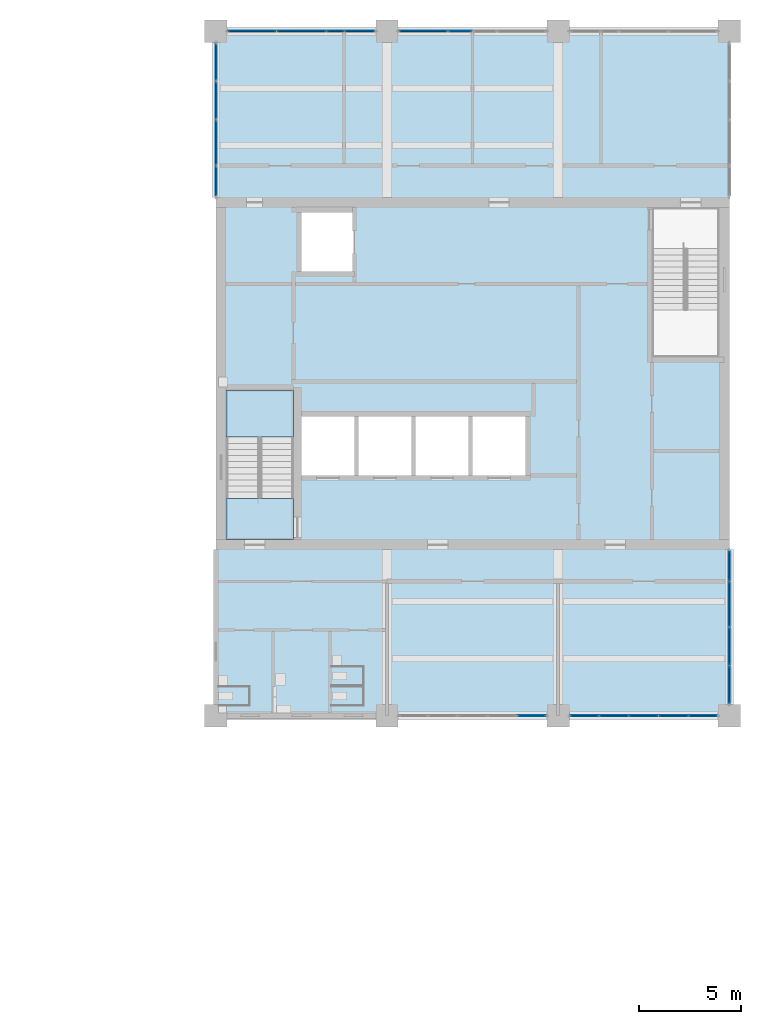
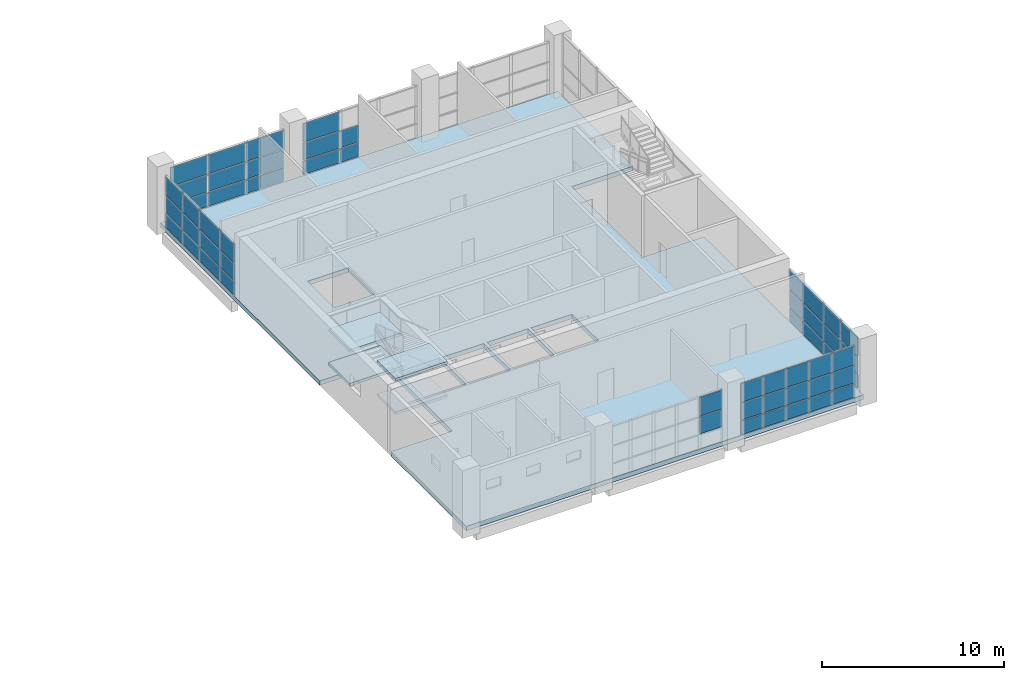
# One storey, part 20 of 64: 58 plates, 5 slabs, 7 elements without a shape of their own.
"""IFC4 building model written with IfcOpenShell, lengths in metres."""

from ifc_helpers import new_model, si_unit, direction, frame, origin, origin_2d, place, context, subcontext, project, spatial, polyline, rectangle, outline, extrude, material, layer, layer_set, type_object, element, aggregate, save


model = new_model("IFC4")

# Units and contexts
model_context = context("Model", 3, precision=1e-05, world=origin(), true_north=direction((0.0, 1.0)))
body_context = subcontext(model_context, "Body", "Model", "MODEL_VIEW")
ifc_project = project(units=[si_unit("LENGTHUNIT", "METRE"), si_unit("AREAUNIT", "SQUARE_METRE"), si_unit("VOLUMEUNIT", "CUBIC_METRE"), si_unit("PLANEANGLEUNIT", "RADIAN"), si_unit("MASSUNIT", "GRAM", prefix="KILO")], contexts=[model_context])

# Site, building, storey
site_placement = place(None, origin())
site = spatial("IfcSite", under=ifc_project, at=site_placement, CompositionType="ELEMENT")
building_placement = place(site_placement, origin())
building = spatial("IfcBuilding", under=site, at=building_placement, Name="Rulbaag Community and Learning Centre", CompositionType="ELEMENT")
storey_placement = place(building_placement, frame((0.0, 0.0, 5.39990234375)))
storey = spatial("IfcBuildingStorey", under=building, at=storey_placement, Name="L01", CompositionType="ELEMENT", Elevation=5.39990234375)

# Curtain wall, plate
ifc_material_1 = material(Name="Aluminium", Category="aluminium")
ifc_layer_1 = layer(ifc_material_1, 0.14990234375)
ifc_layer_set_1 = layer_set([ifc_layer_1], Name="CW-S")
curtain_wall_type_1 = type_object("IfcCurtainWallType", Name="CW-S", PredefinedType="USERDEFINED", material=ifc_layer_set_1)
curtain_wall_1_placement = place(storey_placement, origin())
curtain_wall_1 = element("IfcCurtainWall", 1, at=curtain_wall_1_placement, inside=storey, type_object=curtain_wall_type_1, Name="GS-L01-01", ObjectType="UNITISED CURTAIN WALL", PredefinedType="USERDEFINED")
ifc_layer_2 = layer(ifc_material_1, 0.054931640625)
ifc_layer_set_2 = layer_set([ifc_layer_2], Name="CW-S-SPN")
plate_type_1 = type_object("IfcPlateType", Name="CW-S-SPN", PredefinedType="CURTAIN_PANEL", material=ifc_layer_set_2)
plate_1_placement = place(storey_placement, frame((158.304931640625, 84.0, 2.22998046875), z_axis=(0.0, 0.0, 1.0), x_axis=(1.0, 0.0, 0.0)))
plate_1 = element("IfcPlate", 2, at=plate_1_placement, type_object=plate_type_1, Name="GS spandrel panel", PredefinedType="CURTAIN_PANEL", context=body_context, shape_type="SweptSolid", body=[
    extrude(rectangle(XDim=1.3701171875, YDim=0.054931640625, at=origin_2d()), origin(), (0.0, 0.0, 1.0), 1.260009765625),
])

# Curtain wall, plates
curtain_wall_2_placement = place(storey_placement, origin())
curtain_wall_2 = element("IfcCurtainWall", 3, at=curtain_wall_2_placement, inside=storey, type_object=curtain_wall_type_1, Name="GS-L01-02", ObjectType="UNITISED CURTAIN WALL", PredefinedType="USERDEFINED")
plate_2_placement = place(storey_placement, frame((160.89501953125, 84.0, 0.06005859375), z_axis=(0.0, 0.0, 1.0), x_axis=(1.0, 0.0, 0.0)))
plate_2 = element("IfcPlate", 4, at=plate_2_placement, type_object=plate_type_1, Name="GS spandrel panel", PredefinedType="CURTAIN_PANEL", context=body_context, shape_type="SweptSolid", body=[
    extrude(rectangle(XDim=1.3701171875, YDim=0.054931640625, at=origin_2d()), origin(), (0.0, 0.0, 1.0), 0.909912109375),
])
plate_3_placement = place(storey_placement, frame((160.89501953125, 84.0, 2.22998046875), z_axis=(0.0, 0.0, 1.0), x_axis=(1.0, 0.0, 0.0)))
plate_3 = element("IfcPlate", 5, at=plate_3_placement, type_object=plate_type_1, Name="GS spandrel panel", PredefinedType="CURTAIN_PANEL", context=body_context, shape_type="SweptSolid", body=[
    extrude(rectangle(XDim=1.3701171875, YDim=0.054931640625, at=origin_2d()), origin(), (0.0, 0.0, 1.0), 1.260009765625),
])
plate_4_placement = place(storey_placement, frame((162.340087890625, 84.0, 0.06005859375), z_axis=(0.0, 0.0, 1.0), x_axis=(1.0, 0.0, 0.0)))
plate_4 = element("IfcPlate", 6, at=plate_4_placement, type_object=plate_type_1, Name="GS spandrel panel", PredefinedType="CURTAIN_PANEL", context=body_context, shape_type="SweptSolid", body=[
    extrude(rectangle(XDim=1.39990234375, YDim=0.054931640625, at=origin_2d()), origin(), (0.0, 0.0, 1.0), 0.909912109375),
])
plate_5_placement = place(storey_placement, frame((162.340087890625, 84.0, 2.22998046875), z_axis=(0.0, 0.0, 1.0), x_axis=(1.0, 0.0, 0.0)))
plate_5 = element("IfcPlate", 7, at=plate_5_placement, type_object=plate_type_1, Name="GS spandrel panel", PredefinedType="CURTAIN_PANEL", context=body_context, shape_type="SweptSolid", body=[
    extrude(rectangle(XDim=1.39990234375, YDim=0.054931640625, at=origin_2d()), origin(), (0.0, 0.0, 1.0), 1.260009765625),
])
plate_6_placement = place(storey_placement, frame((163.800048828125, 84.0, 0.06005859375), z_axis=(0.0, 0.0, 1.0), x_axis=(1.0, 0.0, 0.0)))
plate_6 = element("IfcPlate", 8, at=plate_6_placement, type_object=plate_type_1, Name="GS spandrel panel", PredefinedType="CURTAIN_PANEL", context=body_context, shape_type="SweptSolid", body=[
    extrude(rectangle(XDim=1.39990234375, YDim=0.054931640625, at=origin_2d()), origin(), (0.0, 0.0, 1.0), 0.909912109375),
])
plate_7_placement = place(storey_placement, frame((163.800048828125, 84.0, 2.22998046875), z_axis=(0.0, 0.0, 1.0), x_axis=(1.0, 0.0, 0.0)))
plate_7 = element("IfcPlate", 9, at=plate_7_placement, type_object=plate_type_1, Name="GS spandrel panel", PredefinedType="CURTAIN_PANEL", context=body_context, shape_type="SweptSolid", body=[
    extrude(rectangle(XDim=1.39990234375, YDim=0.054931640625, at=origin_2d()), origin(), (0.0, 0.0, 1.0), 1.260009765625),
])
plate_8_placement = place(storey_placement, frame((165.260009765625, 84.0, 0.06005859375), z_axis=(0.0, 0.0, 1.0), x_axis=(1.0, 0.0, 0.0)))
plate_8 = element("IfcPlate", 10, at=plate_8_placement, type_object=plate_type_1, Name="GS spandrel panel", PredefinedType="CURTAIN_PANEL", context=body_context, shape_type="SweptSolid", body=[
    extrude(rectangle(XDim=1.39990234375, YDim=0.054931640625, at=origin_2d()), origin(), (0.0, 0.0, 1.0), 0.909912109375),
])
plate_9_placement = place(storey_placement, frame((165.260009765625, 84.0, 2.22998046875), z_axis=(0.0, 0.0, 1.0), x_axis=(1.0, 0.0, 0.0)))
plate_9 = element("IfcPlate", 11, at=plate_9_placement, type_object=plate_type_1, Name="GS spandrel panel", PredefinedType="CURTAIN_PANEL", context=body_context, shape_type="SweptSolid", body=[
    extrude(rectangle(XDim=1.39990234375, YDim=0.054931640625, at=origin_2d()), origin(), (0.0, 0.0, 1.0), 1.260009765625),
])
plate_10_placement = place(storey_placement, frame((166.705078125, 84.0, 0.06005859375), z_axis=(0.0, 0.0, 1.0), x_axis=(1.0, 0.0, 0.0)))
plate_10 = element("IfcPlate", 12, at=plate_10_placement, type_object=plate_type_1, Name="GS spandrel panel", PredefinedType="CURTAIN_PANEL", context=body_context, shape_type="SweptSolid", body=[
    extrude(rectangle(XDim=1.3701171875, YDim=0.054931640625, at=origin_2d()), origin(), (0.0, 0.0, 1.0), 0.909912109375),
])
plate_11_placement = place(storey_placement, frame((166.705078125, 84.0, 2.22998046875), z_axis=(0.0, 0.0, 1.0), x_axis=(1.0, 0.0, 0.0)))
plate_11 = element("IfcPlate", 13, at=plate_11_placement, type_object=plate_type_1, Name="GS spandrel panel", PredefinedType="CURTAIN_PANEL", context=body_context, shape_type="SweptSolid", body=[
    extrude(rectangle(XDim=1.3701171875, YDim=0.054931640625, at=origin_2d()), origin(), (0.0, 0.0, 1.0), 1.260009765625),
])

# Plate
ifc_material_2 = material(Name="Glass", Category="glass")
ifc_layer_3 = layer(ifc_material_2, 0.030029296875)
ifc_layer_set_3 = layer_set([ifc_layer_3], Name="CW-S-VIS")
plate_type_2 = type_object("IfcPlateType", Name="CW-S-VIS", PredefinedType="CURTAIN_PANEL", material=ifc_layer_set_3)
plate_12_placement = place(storey_placement, frame((158.304931640625, 84.0, 1.0302734375), z_axis=(0.0, 0.0, 1.0), x_axis=(1.0, 0.0, 0.0)))
plate_12 = element("IfcPlate", 14, at=plate_12_placement, type_object=plate_type_2, Name="GS vision panel", PredefinedType="CURTAIN_PANEL", context=body_context, shape_type="SweptSolid", body=[
    extrude(rectangle(XDim=1.3701171875, YDim=0.030029296875, at=origin_2d()), origin(), (0.0, 0.0, 1.0), 1.139892578125),
])

aggregate(curtain_wall_1, [plate_12, plate_1])

plate_13_placement = place(storey_placement, frame((160.89501953125, 84.0, 1.0302734375), z_axis=(0.0, 0.0, 1.0), x_axis=(1.0, 0.0, 0.0)))
plate_13 = element("IfcPlate", 15, at=plate_13_placement, type_object=plate_type_2, Name="GS vision panel", PredefinedType="CURTAIN_PANEL", context=body_context, shape_type="SweptSolid", body=[
    extrude(rectangle(XDim=1.3701171875, YDim=0.030029296875, at=origin_2d()), origin(), (0.0, 0.0, 1.0), 1.139892578125),
])

plate_14_placement = place(storey_placement, frame((162.340087890625, 84.0, 1.0302734375), z_axis=(0.0, 0.0, 1.0), x_axis=(1.0, 0.0, 0.0)))
plate_14 = element("IfcPlate", 16, at=plate_14_placement, type_object=plate_type_2, Name="GS vision panel", PredefinedType="CURTAIN_PANEL", context=body_context, shape_type="SweptSolid", body=[
    extrude(rectangle(XDim=1.39990234375, YDim=0.030029296875, at=origin_2d()), origin(), (0.0, 0.0, 1.0), 1.139892578125),
])

plate_15_placement = place(storey_placement, frame((163.800048828125, 84.0, 1.0302734375), z_axis=(0.0, 0.0, 1.0), x_axis=(1.0, 0.0, 0.0)))
plate_15 = element("IfcPlate", 17, at=plate_15_placement, type_object=plate_type_2, Name="GS vision panel", PredefinedType="CURTAIN_PANEL", context=body_context, shape_type="SweptSolid", body=[
    extrude(rectangle(XDim=1.39990234375, YDim=0.030029296875, at=origin_2d()), origin(), (0.0, 0.0, 1.0), 1.139892578125),
])

plate_16_placement = place(storey_placement, frame((165.260009765625, 84.0, 1.0302734375), z_axis=(0.0, 0.0, 1.0), x_axis=(1.0, 0.0, 0.0)))
plate_16 = element("IfcPlate", 18, at=plate_16_placement, type_object=plate_type_2, Name="GS vision panel", PredefinedType="CURTAIN_PANEL", context=body_context, shape_type="SweptSolid", body=[
    extrude(rectangle(XDim=1.39990234375, YDim=0.030029296875, at=origin_2d()), origin(), (0.0, 0.0, 1.0), 1.139892578125),
])

plate_17_placement = place(storey_placement, frame((166.705078125, 84.0, 1.0302734375), z_axis=(0.0, 0.0, 1.0), x_axis=(1.0, 0.0, 0.0)))
plate_17 = element("IfcPlate", 19, at=plate_17_placement, type_object=plate_type_2, Name="GS vision panel", PredefinedType="CURTAIN_PANEL", context=body_context, shape_type="SweptSolid", body=[
    extrude(rectangle(XDim=1.3701171875, YDim=0.030029296875, at=origin_2d()), origin(), (0.0, 0.0, 1.0), 1.139892578125),
])

aggregate(curtain_wall_2, [plate_2, plate_13, plate_3, plate_4, plate_14, plate_5, plate_6, plate_15, plate_7, plate_8, plate_16, plate_9, plate_10, plate_17, plate_11])

# Curtain wall, plates
ifc_layer_4 = layer(ifc_material_1, 0.14990234375)
ifc_layer_set_4 = layer_set([ifc_layer_4], Name="CW-T")
curtain_wall_type_2 = type_object("IfcCurtainWallType", Name="CW-T", PredefinedType="USERDEFINED", material=ifc_layer_set_4)
curtain_wall_3_placement = place(storey_placement, origin())
curtain_wall_3 = element("IfcCurtainWall", 20, at=curtain_wall_3_placement, inside=storey, type_object=curtain_wall_type_2, Name="GT-L01-01", ObjectType="UNITISED CURTAIN WALL", PredefinedType="USERDEFINED")
ifc_layer_5 = layer(ifc_material_1, 0.06005859375)
ifc_layer_set_5 = layer_set([ifc_layer_5], Name="CW-T-SPN")
plate_type_3 = type_object("IfcPlateType", Name="CW-T-SPN", PredefinedType="CURTAIN_PANEL", material=ifc_layer_set_5)
plate_18_placement = place(storey_placement, frame((144.5830078125, 117.60009765625, 0.06494140625), z_axis=(0.0, 0.0, 1.0), x_axis=(1.0, 0.0, 0.0)))
plate_18 = element("IfcPlate", 21, at=plate_18_placement, type_object=plate_type_3, Name="GT spandrel panel", PredefinedType="CURTAIN_PANEL", context=body_context, shape_type="SweptSolid", body=[
    extrude(rectangle(XDim=2.3359375, YDim=0.06005859375, at=origin_2d()), origin(), (0.0, 0.0, 1.0), 0.902587890625),
])
plate_19_placement = place(storey_placement, frame((144.5830078125, 117.60009765625, 2.232666015625), z_axis=(0.0, 0.0, 1.0), x_axis=(1.0, 0.0, 0.0)))
plate_19 = element("IfcPlate", 22, at=plate_19_placement, type_object=plate_type_3, Name="GT spandrel panel", PredefinedType="CURTAIN_PANEL", context=body_context, shape_type="SweptSolid", body=[
    extrude(rectangle(XDim=2.3359375, YDim=0.06005859375, at=origin_2d()), origin(), (0.0, 0.0, 1.0), 1.25244140625),
])
plate_20_placement = place(storey_placement, frame((147.0, 117.60009765625, 0.06494140625), z_axis=(0.0, 0.0, 1.0), x_axis=(1.0, 0.0, 0.0)))
plate_20 = element("IfcPlate", 23, at=plate_20_placement, type_object=plate_type_3, Name="GT spandrel panel", PredefinedType="CURTAIN_PANEL", context=body_context, shape_type="SweptSolid", body=[
    extrude(rectangle(XDim=2.368408203125, YDim=0.06005859375, at=origin_2d()), origin(), (0.0, 0.0, 1.0), 0.902587890625),
])
plate_21_placement = place(storey_placement, frame((147.0, 117.60009765625, 2.232666015625), z_axis=(0.0, 0.0, 1.0), x_axis=(1.0, 0.0, 0.0)))
plate_21 = element("IfcPlate", 24, at=plate_21_placement, type_object=plate_type_3, Name="GT spandrel panel", PredefinedType="CURTAIN_PANEL", context=body_context, shape_type="SweptSolid", body=[
    extrude(rectangle(XDim=2.368408203125, YDim=0.06005859375, at=origin_2d()), origin(), (0.0, 0.0, 1.0), 1.25244140625),
])
plate_22_placement = place(storey_placement, frame((148.658447265625, 117.60009765625, 0.06494140625), z_axis=(0.0, 0.0, 1.0), x_axis=(1.0, 0.0, 0.0)))
plate_22 = element("IfcPlate", 25, at=plate_22_placement, type_object=plate_type_3, Name="GT spandrel panel", PredefinedType="CURTAIN_PANEL", context=body_context, shape_type="SweptSolid", body=[
    extrude(rectangle(XDim=0.818359375, YDim=0.06005859375, at=origin_2d()), origin(), (0.0, 0.0, 1.0), 0.902587890625),
])
plate_23_placement = place(storey_placement, frame((148.658447265625, 117.60009765625, 2.232666015625), z_axis=(0.0, 0.0, 1.0), x_axis=(1.0, 0.0, 0.0)))
plate_23 = element("IfcPlate", 26, at=plate_23_placement, type_object=plate_type_3, Name="GT spandrel panel", PredefinedType="CURTAIN_PANEL", context=body_context, shape_type="SweptSolid", body=[
    extrude(rectangle(XDim=0.818359375, YDim=0.06005859375, at=origin_2d()), origin(), (0.0, 0.0, 1.0), 1.25244140625),
])
plate_24_placement = place(storey_placement, frame((149.858642578125, 117.60009765625, 0.06494140625), z_axis=(0.0, 0.0, 1.0), x_axis=(1.0, 0.0, 0.0)))
plate_24 = element("IfcPlate", 27, at=plate_24_placement, type_object=plate_type_3, Name="GT spandrel panel", PredefinedType="CURTAIN_PANEL", context=body_context, shape_type="SweptSolid", body=[
    extrude(rectangle(XDim=1.452392578125, YDim=0.06005859375, at=origin_2d()), origin(), (0.0, 0.0, 1.0), 0.902587890625),
])
plate_25_placement = place(storey_placement, frame((149.858642578125, 117.60009765625, 2.232666015625), z_axis=(0.0, 0.0, 1.0), x_axis=(1.0, 0.0, 0.0)))
plate_25 = element("IfcPlate", 28, at=plate_25_placement, type_object=plate_type_3, Name="GT spandrel panel", PredefinedType="CURTAIN_PANEL", context=body_context, shape_type="SweptSolid", body=[
    extrude(rectangle(XDim=1.452392578125, YDim=0.06005859375, at=origin_2d()), origin(), (0.0, 0.0, 1.0), 1.25244140625),
])

curtain_wall_4_placement = place(storey_placement, origin())
curtain_wall_4 = element("IfcCurtainWall", 29, at=curtain_wall_4_placement, inside=storey, type_object=curtain_wall_type_2, Name="GT-L01-02", ObjectType="UNITISED CURTAIN WALL", PredefinedType="USERDEFINED")
plate_26_placement = place(storey_placement, frame((152.98291015625, 117.60009765625, 0.06494140625), z_axis=(0.0, 0.0, 1.0), x_axis=(1.0, 0.0, 0.0)))
plate_26 = element("IfcPlate", 30, at=plate_26_placement, type_object=plate_type_3, Name="GT spandrel panel", PredefinedType="CURTAIN_PANEL", context=body_context, shape_type="SweptSolid", body=[
    extrude(rectangle(XDim=2.3359375, YDim=0.06005859375, at=origin_2d()), origin(), (0.0, 0.0, 1.0), 0.902587890625),
])
plate_27_placement = place(storey_placement, frame((152.98291015625, 117.60009765625, 2.232666015625), z_axis=(0.0, 0.0, 1.0), x_axis=(1.0, 0.0, 0.0)))
plate_27 = element("IfcPlate", 31, at=plate_27_placement, type_object=plate_type_3, Name="GT spandrel panel", PredefinedType="CURTAIN_PANEL", context=body_context, shape_type="SweptSolid", body=[
    extrude(rectangle(XDim=2.3359375, YDim=0.06005859375, at=origin_2d()), origin(), (0.0, 0.0, 1.0), 1.25244140625),
])
plate_28_placement = place(storey_placement, frame((154.791748046875, 117.60009765625, 0.06494140625), z_axis=(0.0, 0.0, 1.0), x_axis=(1.0, 0.0, 0.0)))
plate_28 = element("IfcPlate", 32, at=plate_28_placement, type_object=plate_type_3, Name="GT spandrel panel", PredefinedType="CURTAIN_PANEL", context=body_context, shape_type="SweptSolid", body=[
    extrude(rectangle(XDim=1.151611328125, YDim=0.06005859375, at=origin_2d()), origin(), (0.0, 0.0, 1.0), 0.902587890625),
])

curtain_wall_5_placement = place(storey_placement, origin())
curtain_wall_5 = element("IfcCurtainWall", 33, at=curtain_wall_5_placement, inside=storey, type_object=curtain_wall_type_2, Name="GT-L01-04", ObjectType="UNITISED CURTAIN WALL", PredefinedType="USERDEFINED")
plate_29_placement = place(storey_placement, frame((142.800048828125, 110.2412109375, 0.06494140625), z_axis=(0.0, 0.0, 1.0), x_axis=(0.0, 1.0, 0.0)))
plate_29 = element("IfcPlate", 34, at=plate_29_placement, type_object=plate_type_3, Name="GT spandrel panel", PredefinedType="CURTAIN_PANEL", context=body_context, shape_type="SweptSolid", body=[
    extrude(rectangle(XDim=1.452392578125, YDim=0.06005859375, at=origin_2d()), origin(), (0.0, 0.0, 1.0), 0.902587890625),
])
plate_30_placement = place(storey_placement, frame((142.800048828125, 110.2412109375, 2.232666015625), z_axis=(0.0, 0.0, 1.0), x_axis=(0.0, 1.0, 0.0)))
plate_30 = element("IfcPlate", 35, at=plate_30_placement, type_object=plate_type_3, Name="GT spandrel panel", PredefinedType="CURTAIN_PANEL", context=body_context, shape_type="SweptSolid", body=[
    extrude(rectangle(XDim=1.452392578125, YDim=0.06005859375, at=origin_2d()), origin(), (0.0, 0.0, 1.0), 1.25244140625),
])
plate_31_placement = place(storey_placement, frame((142.800048828125, 112.125, 0.06494140625), z_axis=(0.0, 0.0, 1.0), x_axis=(0.0, 1.0, 0.0)))
plate_31 = element("IfcPlate", 36, at=plate_31_placement, type_object=plate_type_3, Name="GT spandrel panel", PredefinedType="CURTAIN_PANEL", context=body_context, shape_type="SweptSolid", body=[
    extrude(rectangle(XDim=2.18505859375, YDim=0.06005859375, at=origin_2d()), origin(), (0.0, 0.0, 1.0), 0.902587890625),
])
plate_32_placement = place(storey_placement, frame((142.800048828125, 112.125, 2.232666015625), z_axis=(0.0, 0.0, 1.0), x_axis=(0.0, 1.0, 0.0)))
plate_32 = element("IfcPlate", 37, at=plate_32_placement, type_object=plate_type_3, Name="GT spandrel panel", PredefinedType="CURTAIN_PANEL", context=body_context, shape_type="SweptSolid", body=[
    extrude(rectangle(XDim=2.18505859375, YDim=0.06005859375, at=origin_2d()), origin(), (0.0, 0.0, 1.0), 1.25244140625),
])
plate_33_placement = place(storey_placement, frame((142.800048828125, 114.199951171875, 0.06494140625), z_axis=(0.0, 0.0, 1.0), x_axis=(0.0, 1.0, 0.0)))
plate_33 = element("IfcPlate", 38, at=plate_33_placement, type_object=plate_type_3, Name="GT spandrel panel", PredefinedType="CURTAIN_PANEL", context=body_context, shape_type="SweptSolid", body=[
    extrude(rectangle(XDim=1.8349609375, YDim=0.06005859375, at=origin_2d()), origin(), (0.0, 0.0, 1.0), 0.902587890625),
])
plate_34_placement = place(storey_placement, frame((142.800048828125, 114.199951171875, 2.232666015625), z_axis=(0.0, 0.0, 1.0), x_axis=(0.0, 1.0, 0.0)))
plate_34 = element("IfcPlate", 39, at=plate_34_placement, type_object=plate_type_3, Name="GT spandrel panel", PredefinedType="CURTAIN_PANEL", context=body_context, shape_type="SweptSolid", body=[
    extrude(rectangle(XDim=1.8349609375, YDim=0.06005859375, at=origin_2d()), origin(), (0.0, 0.0, 1.0), 1.25244140625),
])
plate_35_placement = place(storey_placement, frame((142.800048828125, 116.083740234375, 0.06494140625), z_axis=(0.0, 0.0, 1.0), x_axis=(0.0, 1.0, 0.0)))
plate_35 = element("IfcPlate", 40, at=plate_35_placement, type_object=plate_type_3, Name="GT spandrel panel", PredefinedType="CURTAIN_PANEL", context=body_context, shape_type="SweptSolid", body=[
    extrude(rectangle(XDim=1.802490234375, YDim=0.06005859375, at=origin_2d()), origin(), (0.0, 0.0, 1.0), 0.902587890625),
])
plate_36_placement = place(storey_placement, frame((142.800048828125, 116.083740234375, 2.232666015625), z_axis=(0.0, 0.0, 1.0), x_axis=(0.0, 1.0, 0.0)))
plate_36 = element("IfcPlate", 41, at=plate_36_placement, type_object=plate_type_3, Name="GT spandrel panel", PredefinedType="CURTAIN_PANEL", context=body_context, shape_type="SweptSolid", body=[
    extrude(rectangle(XDim=1.802490234375, YDim=0.06005859375, at=origin_2d()), origin(), (0.0, 0.0, 1.0), 1.25244140625),
])

curtain_wall_6_placement = place(storey_placement, origin())
curtain_wall_6 = element("IfcCurtainWall", 42, at=curtain_wall_6_placement, inside=storey, type_object=curtain_wall_type_2, Name="GT-L01-05", ObjectType="UNITISED CURTAIN WALL", PredefinedType="USERDEFINED")
plate_37_placement = place(storey_placement, frame((168.0, 85.516357421875, 0.06494140625), z_axis=(0.0, 0.0, 1.0), x_axis=(0.0, 1.0, 0.0)))
plate_37 = element("IfcPlate", 43, at=plate_37_placement, type_object=plate_type_3, Name="GT spandrel panel", PredefinedType="CURTAIN_PANEL", context=body_context, shape_type="SweptSolid", body=[
    extrude(rectangle(XDim=1.802490234375, YDim=0.06005859375, at=origin_2d()), origin(), (0.0, 0.0, 1.0), 0.902587890625),
])
plate_38_placement = place(storey_placement, frame((168.0, 85.516357421875, 2.232666015625), z_axis=(0.0, 0.0, 1.0), x_axis=(0.0, 1.0, 0.0)))
plate_38 = element("IfcPlate", 44, at=plate_38_placement, type_object=plate_type_3, Name="GT spandrel panel", PredefinedType="CURTAIN_PANEL", context=body_context, shape_type="SweptSolid", body=[
    extrude(rectangle(XDim=1.802490234375, YDim=0.06005859375, at=origin_2d()), origin(), (0.0, 0.0, 1.0), 1.25244140625),
])
plate_39_placement = place(storey_placement, frame((168.0, 87.39990234375, 0.06494140625), z_axis=(0.0, 0.0, 1.0), x_axis=(0.0, 1.0, 0.0)))
plate_39 = element("IfcPlate", 45, at=plate_39_placement, type_object=plate_type_3, Name="GT spandrel panel", PredefinedType="CURTAIN_PANEL", context=body_context, shape_type="SweptSolid", body=[
    extrude(rectangle(XDim=1.8349609375, YDim=0.06005859375, at=origin_2d()), origin(), (0.0, 0.0, 1.0), 0.902587890625),
])
plate_40_placement = place(storey_placement, frame((168.0, 87.39990234375, 2.232666015625), z_axis=(0.0, 0.0, 1.0), x_axis=(0.0, 1.0, 0.0)))
plate_40 = element("IfcPlate", 46, at=plate_40_placement, type_object=plate_type_3, Name="GT spandrel panel", PredefinedType="CURTAIN_PANEL", context=body_context, shape_type="SweptSolid", body=[
    extrude(rectangle(XDim=1.8349609375, YDim=0.06005859375, at=origin_2d()), origin(), (0.0, 0.0, 1.0), 1.25244140625),
])
plate_41_placement = place(storey_placement, frame((168.0, 89.47509765625, 0.06494140625), z_axis=(0.0, 0.0, 1.0), x_axis=(0.0, 1.0, 0.0)))
plate_41 = element("IfcPlate", 47, at=plate_41_placement, type_object=plate_type_3, Name="GT spandrel panel", PredefinedType="CURTAIN_PANEL", context=body_context, shape_type="SweptSolid", body=[
    extrude(rectangle(XDim=2.18505859375, YDim=0.06005859375, at=origin_2d()), origin(), (0.0, 0.0, 1.0), 0.902587890625),
])
plate_42_placement = place(storey_placement, frame((168.0, 89.47509765625, 2.232666015625), z_axis=(0.0, 0.0, 1.0), x_axis=(0.0, 1.0, 0.0)))
plate_42 = element("IfcPlate", 48, at=plate_42_placement, type_object=plate_type_3, Name="GT spandrel panel", PredefinedType="CURTAIN_PANEL", context=body_context, shape_type="SweptSolid", body=[
    extrude(rectangle(XDim=2.18505859375, YDim=0.06005859375, at=origin_2d()), origin(), (0.0, 0.0, 1.0), 1.25244140625),
])
plate_43_placement = place(storey_placement, frame((168.0, 91.358642578125, 0.06494140625), z_axis=(0.0, 0.0, 1.0), x_axis=(0.0, 1.0, 0.0)))
plate_43 = element("IfcPlate", 49, at=plate_43_placement, type_object=plate_type_3, Name="GT spandrel panel", PredefinedType="CURTAIN_PANEL", context=body_context, shape_type="SweptSolid", body=[
    extrude(rectangle(XDim=1.452392578125, YDim=0.06005859375, at=origin_2d()), origin(), (0.0, 0.0, 1.0), 0.902587890625),
])
plate_44_placement = place(storey_placement, frame((168.0, 91.358642578125, 2.232666015625), z_axis=(0.0, 0.0, 1.0), x_axis=(0.0, 1.0, 0.0)))
plate_44 = element("IfcPlate", 50, at=plate_44_placement, type_object=plate_type_3, Name="GT spandrel panel", PredefinedType="CURTAIN_PANEL", context=body_context, shape_type="SweptSolid", body=[
    extrude(rectangle(XDim=1.452392578125, YDim=0.06005859375, at=origin_2d()), origin(), (0.0, 0.0, 1.0), 1.25244140625),
])

# Plate
ifc_layer_6 = layer(ifc_material_2, 0.028076171875)
ifc_layer_set_6 = layer_set([ifc_layer_6], Name="CW-T-VIS")
plate_type_4 = type_object("IfcPlateType", Name="CW-T-VIS", PredefinedType="CURTAIN_PANEL", material=ifc_layer_set_6)
plate_45_placement = place(storey_placement, frame((144.5830078125, 117.60009765625, 1.03271484375), z_axis=(0.0, 0.0, 1.0), x_axis=(1.0, 0.0, 0.0)))
plate_45 = element("IfcPlate", 51, at=plate_45_placement, type_object=plate_type_4, Name="GT vision panel", PredefinedType="CURTAIN_PANEL", context=body_context, shape_type="SweptSolid", body=[
    extrude(rectangle(XDim=2.3359375, YDim=0.028076171875, at=origin_2d()), origin(), (0.0, 0.0, 1.0), 1.135009765625),
])

plate_46_placement = place(storey_placement, frame((147.0, 117.60009765625, 1.03271484375), z_axis=(0.0, 0.0, 1.0), x_axis=(1.0, 0.0, 0.0)))
plate_46 = element("IfcPlate", 52, at=plate_46_placement, type_object=plate_type_4, Name="GT vision panel", PredefinedType="CURTAIN_PANEL", context=body_context, shape_type="SweptSolid", body=[
    extrude(rectangle(XDim=2.368408203125, YDim=0.028076171875, at=origin_2d()), origin(), (0.0, 0.0, 1.0), 1.135009765625),
])

plate_47_placement = place(storey_placement, frame((148.658447265625, 117.60009765625, 1.03271484375), z_axis=(0.0, 0.0, 1.0), x_axis=(1.0, 0.0, 0.0)))
plate_47 = element("IfcPlate", 53, at=plate_47_placement, type_object=plate_type_4, Name="GT vision panel", PredefinedType="CURTAIN_PANEL", context=body_context, shape_type="SweptSolid", body=[
    extrude(rectangle(XDim=0.818359375, YDim=0.028076171875, at=origin_2d()), origin(), (0.0, 0.0, 1.0), 1.135009765625),
])

plate_48_placement = place(storey_placement, frame((149.858642578125, 117.60009765625, 1.03271484375), z_axis=(0.0, 0.0, 1.0), x_axis=(1.0, 0.0, 0.0)))
plate_48 = element("IfcPlate", 54, at=plate_48_placement, type_object=plate_type_4, Name="GT vision panel", PredefinedType="CURTAIN_PANEL", context=body_context, shape_type="SweptSolid", body=[
    extrude(rectangle(XDim=1.452392578125, YDim=0.028076171875, at=origin_2d()), origin(), (0.0, 0.0, 1.0), 1.135009765625),
])

aggregate(curtain_wall_3, [plate_18, plate_45, plate_19, plate_20, plate_46, plate_21, plate_22, plate_47, plate_23, plate_24, plate_48, plate_25])

plate_49_placement = place(storey_placement, frame((152.98291015625, 117.60009765625, 1.03271484375), z_axis=(0.0, 0.0, 1.0), x_axis=(1.0, 0.0, 0.0)))
plate_49 = element("IfcPlate", 55, at=plate_49_placement, type_object=plate_type_4, Name="GT vision panel", PredefinedType="CURTAIN_PANEL", context=body_context, shape_type="SweptSolid", body=[
    extrude(rectangle(XDim=2.3359375, YDim=0.028076171875, at=origin_2d()), origin(), (0.0, 0.0, 1.0), 1.135009765625),
])

plate_50_placement = place(storey_placement, frame((154.791748046875, 117.60009765625, 1.03271484375), z_axis=(0.0, 0.0, 1.0), x_axis=(1.0, 0.0, 0.0)))
plate_50 = element("IfcPlate", 56, at=plate_50_placement, type_object=plate_type_4, Name="GT vision panel", PredefinedType="CURTAIN_PANEL", context=body_context, shape_type="SweptSolid", body=[
    extrude(rectangle(XDim=1.151611328125, YDim=0.028076171875, at=origin_2d()), origin(), (0.0, 0.0, 1.0), 1.135009765625),
])

aggregate(curtain_wall_4, [plate_26, plate_49, plate_27, plate_28, plate_50])

plate_51_placement = place(storey_placement, frame((142.800048828125, 110.2412109375, 1.03271484375), z_axis=(0.0, 0.0, 1.0), x_axis=(0.0, 1.0, 0.0)))
plate_51 = element("IfcPlate", 57, at=plate_51_placement, type_object=plate_type_4, Name="GT vision panel", PredefinedType="CURTAIN_PANEL", context=body_context, shape_type="SweptSolid", body=[
    extrude(rectangle(XDim=1.452392578125, YDim=0.028076171875, at=origin_2d()), origin(), (0.0, 0.0, 1.0), 1.135009765625),
])

plate_52_placement = place(storey_placement, frame((142.800048828125, 112.125, 1.03271484375), z_axis=(0.0, 0.0, 1.0), x_axis=(0.0, 1.0, 0.0)))
plate_52 = element("IfcPlate", 58, at=plate_52_placement, type_object=plate_type_4, Name="GT vision panel", PredefinedType="CURTAIN_PANEL", context=body_context, shape_type="SweptSolid", body=[
    extrude(rectangle(XDim=2.18505859375, YDim=0.028076171875, at=origin_2d()), origin(), (0.0, 0.0, 1.0), 1.135009765625),
])

plate_53_placement = place(storey_placement, frame((142.800048828125, 114.199951171875, 1.03271484375), z_axis=(0.0, 0.0, 1.0), x_axis=(0.0, 1.0, 0.0)))
plate_53 = element("IfcPlate", 59, at=plate_53_placement, type_object=plate_type_4, Name="GT vision panel", PredefinedType="CURTAIN_PANEL", context=body_context, shape_type="SweptSolid", body=[
    extrude(rectangle(XDim=1.8349609375, YDim=0.028076171875, at=origin_2d()), origin(), (0.0, 0.0, 1.0), 1.135009765625),
])

plate_54_placement = place(storey_placement, frame((142.800048828125, 116.083740234375, 1.03271484375), z_axis=(0.0, 0.0, 1.0), x_axis=(0.0, 1.0, 0.0)))
plate_54 = element("IfcPlate", 60, at=plate_54_placement, type_object=plate_type_4, Name="GT vision panel", PredefinedType="CURTAIN_PANEL", context=body_context, shape_type="SweptSolid", body=[
    extrude(rectangle(XDim=1.802490234375, YDim=0.028076171875, at=origin_2d()), origin(), (0.0, 0.0, 1.0), 1.135009765625),
])

aggregate(curtain_wall_5, [plate_29, plate_51, plate_30, plate_31, plate_52, plate_32, plate_33, plate_53, plate_34, plate_35, plate_54, plate_36])

plate_55_placement = place(storey_placement, frame((168.0, 85.516357421875, 1.03271484375), z_axis=(0.0, 0.0, 1.0), x_axis=(0.0, 1.0, 0.0)))
plate_55 = element("IfcPlate", 61, at=plate_55_placement, type_object=plate_type_4, Name="GT vision panel", PredefinedType="CURTAIN_PANEL", context=body_context, shape_type="SweptSolid", body=[
    extrude(rectangle(XDim=1.802490234375, YDim=0.028076171875, at=origin_2d()), origin(), (0.0, 0.0, 1.0), 1.135009765625),
])

plate_56_placement = place(storey_placement, frame((168.0, 87.39990234375, 1.03271484375), z_axis=(0.0, 0.0, 1.0), x_axis=(0.0, 1.0, 0.0)))
plate_56 = element("IfcPlate", 62, at=plate_56_placement, type_object=plate_type_4, Name="GT vision panel", PredefinedType="CURTAIN_PANEL", context=body_context, shape_type="SweptSolid", body=[
    extrude(rectangle(XDim=1.8349609375, YDim=0.028076171875, at=origin_2d()), origin(), (0.0, 0.0, 1.0), 1.135009765625),
])

plate_57_placement = place(storey_placement, frame((168.0, 89.47509765625, 1.03271484375), z_axis=(0.0, 0.0, 1.0), x_axis=(0.0, 1.0, 0.0)))
plate_57 = element("IfcPlate", 63, at=plate_57_placement, type_object=plate_type_4, Name="GT vision panel", PredefinedType="CURTAIN_PANEL", context=body_context, shape_type="SweptSolid", body=[
    extrude(rectangle(XDim=2.18505859375, YDim=0.028076171875, at=origin_2d()), origin(), (0.0, 0.0, 1.0), 1.135009765625),
])

plate_58_placement = place(storey_placement, frame((168.0, 91.358642578125, 1.03271484375), z_axis=(0.0, 0.0, 1.0), x_axis=(0.0, 1.0, 0.0)))
plate_58 = element("IfcPlate", 64, at=plate_58_placement, type_object=plate_type_4, Name="GT vision panel", PredefinedType="CURTAIN_PANEL", context=body_context, shape_type="SweptSolid", body=[
    extrude(rectangle(XDim=1.452392578125, YDim=0.028076171875, at=origin_2d()), origin(), (0.0, 0.0, 1.0), 1.135009765625),
])

aggregate(curtain_wall_6, [plate_37, plate_55, plate_38, plate_39, plate_56, plate_40, plate_41, plate_57, plate_42, plate_43, plate_58, plate_44])

# Stair, slabs
ifc_material_3 = material(Name="Concrete M40", Category="concrete")
stair_type = type_object("IfcStairType", Name="ST-1650 STAIR 1650 WIDE", PredefinedType="HALF_TURN_STAIR", material=ifc_material_3)
stair_placement = place(storey_placement, origin())
stair = element("IfcStair", 65, at=stair_placement, inside=storey, type_object=stair_type, Name="Stair ST1 L01", PredefinedType="HALF_TURN_STAIR")
ifc_layer_7 = layer(ifc_material_3, 0.179931640625)
ifc_layer_set_7 = layer_set([ifc_layer_7], Name="LN-180 LANDING 180 Concrete M40")
slab_type_1 = type_object("IfcSlabType", Name="LN-180 LANDING 180 Concrete M40", PredefinedType="LANDING", material=ifc_layer_set_7)
slab_1_placement = place(storey_placement, frame((0.0, 0.0, 0.945068359375)))
slab_1 = element("IfcSlab", 66, at=slab_1_placement, type_object=slab_type_1, Name="ST1 landing 1", PredefinedType="LANDING", context=body_context, shape_type="SweptSolid", body=[
    extrude(outline(polyline([(143.300048828125, 97.675048828125), (143.300048828125, 100.0), (146.60009765625, 100.0), (146.60009765625, 97.675048828125), (143.300048828125, 97.675048828125)])), origin(), (0.0, 0.0, 1.0), 0.179931640625),
])
slab_2_placement = place(storey_placement, frame((0.0, 0.0, 2.070068359375)))
slab_2 = element("IfcSlab", 67, at=slab_2_placement, type_object=slab_type_1, Name="ST1 landing 2", PredefinedType="LANDING", context=body_context, shape_type="SweptSolid", body=[
    extrude(outline(polyline([(143.300048828125, 92.64990234375), (143.300048828125, 94.675048828125), (146.60009765625, 94.675048828125), (146.60009765625, 92.64990234375), (143.300048828125, 92.64990234375)])), origin(), (0.0, 0.0, 1.0), 0.179931640625),
])
slab_3_placement = place(storey_placement, frame((0.0, 0.0, 3.195068359375)))
slab_3 = element("IfcSlab", 68, at=slab_3_placement, type_object=slab_type_1, Name="ST1 landing 3", PredefinedType="LANDING", context=body_context, shape_type="SweptSolid", body=[
    extrude(outline(polyline([(143.300048828125, 97.675048828125), (143.300048828125, 100.0), (146.60009765625, 100.0), (146.60009765625, 97.675048828125), (143.300048828125, 97.675048828125)])), origin(), (0.0, 0.0, 1.0), 0.179931640625),
])
slab_4_placement = place(storey_placement, frame((0.0, 0.0, 4.320068359375)))
slab_4 = element("IfcSlab", 69, at=slab_4_placement, type_object=slab_type_1, Name="ST1 landing 4", PredefinedType="LANDING", context=body_context, shape_type="SweptSolid", body=[
    extrude(outline(polyline([(143.300048828125, 92.64990234375), (143.300048828125, 94.675048828125), (146.60009765625, 94.675048828125), (146.60009765625, 92.64990234375), (143.300048828125, 92.64990234375)])), origin(), (0.0, 0.0, 1.0), 0.179931640625),
])
aggregate(stair, [slab_1, slab_2, slab_3, slab_4])

# Slab
ifc_layer_8 = layer(ifc_material_3, 0.300048828125)
ifc_layer_set_8 = layer_set([ifc_layer_8], Name="S5 Floor slab 300 Concrete M40")
slab_type_2 = type_object("IfcSlabType", Name="S5 Floor slab 300 Concrete M40", PredefinedType="FLOOR", material=ifc_layer_set_8)
slab_5_placement = place(storey_placement, frame((0.0, 0.0, -0.2998046875)))
element("IfcSlab", 70, at=slab_5_placement, inside=storey, type_object=slab_type_2, Name="SL-L01-B01", PredefinedType="FLOOR", context=body_context, shape_type="SweptSolid", body=[
    extrude(outline(polyline([(142.800048828125, 84.0), (142.800048828125, 92.300048828125), (146.699951171875, 92.300048828125), (146.699951171875, 100.10009765625), (142.800048828125, 100.10009765625), (142.800048828125, 117.60009765625), (168.0, 117.60009765625), (168.0, 109.300048828125), (164.10009765625, 109.300048828125), (164.10009765625, 101.5), (168.0, 101.5), (168.0, 84.0), (142.800048828125, 84.0)]), holes=[polyline([(149.60009765625, 98.699951171875), (147.0, 98.699951171875), (147.0, 95.800048828125), (149.60009765625, 95.800048828125), (149.60009765625, 98.699951171875)]), polyline([(152.39990234375, 98.699951171875), (149.800048828125, 98.699951171875), (149.800048828125, 95.800048828125), (152.39990234375, 95.800048828125), (152.39990234375, 98.699951171875)]), polyline([(155.199951171875, 98.699951171875), (152.60009765625, 98.699951171875), (152.60009765625, 95.800048828125), (155.199951171875, 95.800048828125), (155.199951171875, 98.699951171875)]), polyline([(158.0, 98.699951171875), (155.39990234375, 98.699951171875), (155.39990234375, 95.800048828125), (158.0, 95.800048828125), (158.0, 98.699951171875)]), polyline([(149.60009765625, 108.699951171875), (147.0, 108.699951171875), (147.0, 105.800048828125), (149.60009765625, 105.800048828125), (149.60009765625, 108.699951171875)])]), origin(), (0.0, 0.0, 1.0), 0.2998046875),
])

save(model, "model.ifc")
